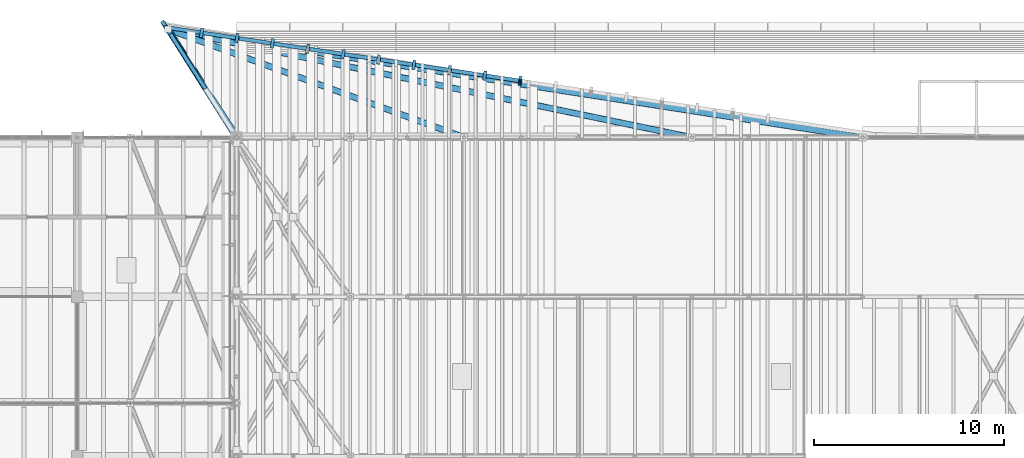
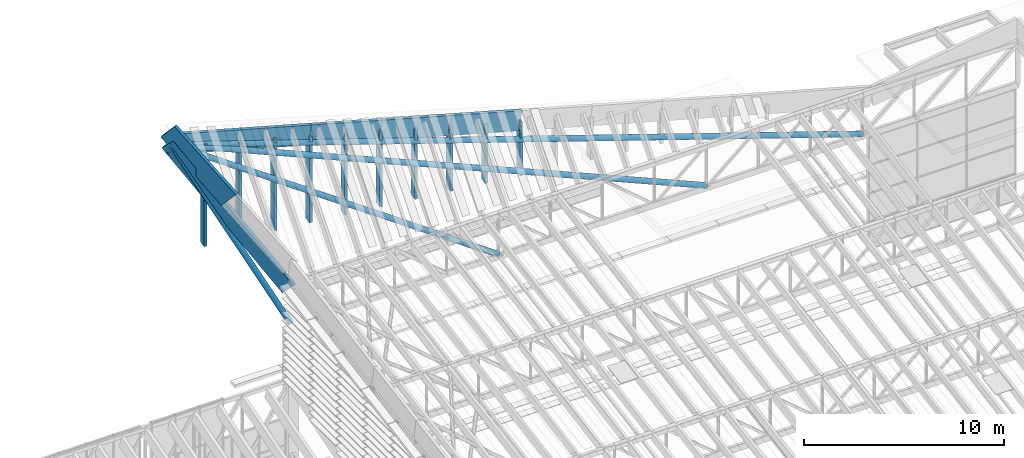
# One storey, part 45 of 91: 16 members, 6 beams.
"""IFC4 building model written with IfcOpenShell, lengths in metres."""

from ifc_helpers import new_model, si_unit, direction, frame, origin, origin_2d, place, context, subcontext, project, spatial, rectangle, hollow_circle, extrude, material, material_profile, profile_set, type_object, element, save


model = new_model("IFC4")

# Units and contexts
model_context = context("Model", 3, precision=1e-05, world=origin(), true_north=direction((0.0, 1.0)))
body_context = subcontext(model_context, "Body", "Model", "MODEL_VIEW")
ifc_project = project(units=[si_unit("LENGTHUNIT", "METRE"), si_unit("AREAUNIT", "SQUARE_METRE"), si_unit("VOLUMEUNIT", "CUBIC_METRE"), si_unit("PLANEANGLEUNIT", "RADIAN"), si_unit("MASSUNIT", "GRAM", prefix="KILO")], contexts=[model_context])

# Site, building, storey
site_placement = place(None, origin())
site = spatial("IfcSite", under=ifc_project, at=site_placement, CompositionType="ELEMENT")
building_placement = place(site_placement, origin())
building = spatial("IfcBuilding", under=site, at=building_placement, Name="Almond Square Museum", CompositionType="ELEMENT")
storey_placement = place(building_placement, frame((0.0, 0.0, 30.0)))
storey = spatial("IfcBuildingStorey", under=building, at=storey_placement, Name="L05", CompositionType="ELEMENT", Elevation=30.0)

# Members
ifc_material_1 = material(Name="Structural steel S355", Category="steel")
ifc_material_profile_1 = material_profile(ifc_material_1, hollow_circle(Radius=0.084228515625, WallThickness=0.008056640625, at=origin_2d()))
ifc_profile_set_1 = profile_set([ifc_material_profile_1], Name="Structural steel S355")
member_type_1 = type_object("IfcMemberType", Name="Fascia post CHS 168.3x8", PredefinedType="POST", material=ifc_profile_set_1)
member_1_placement = place(storey_placement, frame((121.724609375, 112.014892578125, 18.3955078125), z_axis=(0.023447527882, 0.151507103236, 0.988178026018), x_axis=(-0.988235294118, 0.152941176471, 0.0)))
element("IfcMember", 1, at=member_1_placement, inside=storey, type_object=member_type_1, Name="Prow edge post 5", PredefinedType="POST", context=body_context, shape_type="SweptSolid", body=[
    extrude(hollow_circle(Radius=0.084228515625, WallThickness=0.008056640625, at=origin_2d()), origin(), (0.0, 0.0, 1.0), 1.082763671875),
])
ifc_material_2 = material(Name="Glulam GL28h", Category="wood")
ifc_material_profile_2 = material_profile(ifc_material_2, rectangle(XDim=0.159912109375, YDim=0.5, at=origin_2d()))
ifc_profile_set_2 = profile_set([ifc_material_profile_2], Name="Glulam GL28h")
member_type_2 = type_object("IfcMemberType", Name="Gable stud GL28h 160x500", PredefinedType="POST", material=ifc_profile_set_2)
member_2_placement = place(storey_placement, frame((121.75, 112.178955078125, 16.227294921875), z_axis=(0.0, 0.0, 1.0), x_axis=(-0.988752832318, 0.149558806438, 0.0)))
element("IfcMember", 2, at=member_2_placement, inside=storey, type_object=member_type_2, Name="Prow gable stud 10", PredefinedType="POST", context=body_context, shape_type="SweptSolid", body=[
    extrude(rectangle(XDim=0.159912109375, YDim=0.5, at=origin_2d()), origin(), (0.0, 0.0, 1.0), 3.23828125),
])
member_3_placement = place(storey_placement, frame((119.885009765625, 112.461181640625, 16.227294921875), z_axis=(0.0, 0.0, 1.0), x_axis=(-0.988752832318, 0.149558806438, 0.0)))
element("IfcMember", 3, at=member_3_placement, inside=storey, type_object=member_type_2, Name="Prow gable stud 11", PredefinedType="POST", context=body_context, shape_type="SweptSolid", body=[
    extrude(rectangle(XDim=0.159912109375, YDim=0.5, at=origin_2d()), origin(), (0.0, 0.0, 1.0), 3.574462890625),
])
member_4_placement = place(storey_placement, frame((118.02001953125, 112.7431640625, 16.227294921875), z_axis=(0.0, 0.0, 1.0), x_axis=(-0.988752832318, 0.149558806438, 0.0)))
element("IfcMember", 4, at=member_4_placement, inside=storey, type_object=member_type_2, Name="Prow gable stud 12", PredefinedType="POST", context=body_context, shape_type="SweptSolid", body=[
    extrude(rectangle(XDim=0.159912109375, YDim=0.5, at=origin_2d()), origin(), (0.0, 0.0, 1.0), 3.91064453125),
])
member_5_placement = place(storey_placement, frame((116.155029296875, 113.025390625, 16.227294921875), z_axis=(0.0, 0.0, 1.0), x_axis=(-0.988752832318, 0.149558806438, 0.0)))
element("IfcMember", 5, at=member_5_placement, inside=storey, type_object=member_type_2, Name="Prow gable stud 13", PredefinedType="POST", context=body_context, shape_type="SweptSolid", body=[
    extrude(rectangle(XDim=0.159912109375, YDim=0.5, at=origin_2d()), origin(), (0.0, 0.0, 1.0), 4.246826171875),
])
member_6_placement = place(storey_placement, frame((114.2900390625, 113.307373046875, 16.227294921875), z_axis=(0.0, 0.0, 1.0), x_axis=(-0.988752832318, 0.149558806438, 0.0)))
element("IfcMember", 6, at=member_6_placement, inside=storey, type_object=member_type_2, Name="Prow gable stud 14", PredefinedType="POST", context=body_context, shape_type="SweptSolid", body=[
    extrude(rectangle(XDim=0.159912109375, YDim=0.5, at=origin_2d()), origin(), (0.0, 0.0, 1.0), 4.5830078125),
])
member_7_placement = place(storey_placement, frame((112.425048828125, 113.589599609375, 16.227294921875), z_axis=(0.0, 0.0, 1.0), x_axis=(-0.988752832318, 0.149558806438, 0.0)))
element("IfcMember", 7, at=member_7_placement, inside=storey, type_object=member_type_2, Name="Prow gable stud 15", PredefinedType="POST", context=body_context, shape_type="SweptSolid", body=[
    extrude(rectangle(XDim=0.159912109375, YDim=0.5, at=origin_2d()), origin(), (0.0, 0.0, 1.0), 4.919189453125),
])
member_8_placement = place(storey_placement, frame((110.56005859375, 113.87158203125, 16.227294921875), z_axis=(0.0, 0.0, 1.0), x_axis=(-0.988752832318, 0.149558806438, 0.0)))
element("IfcMember", 8, at=member_8_placement, inside=storey, type_object=member_type_2, Name="Prow gable stud 16", PredefinedType="POST", context=body_context, shape_type="SweptSolid", body=[
    extrude(rectangle(XDim=0.159912109375, YDim=0.5, at=origin_2d()), origin(), (0.0, 0.0, 1.0), 5.25537109375),
])
member_9_placement = place(storey_placement, frame((108.695068359375, 114.15380859375, 16.227294921875), z_axis=(0.0, 0.0, 1.0), x_axis=(-0.988752832318, 0.149558806438, 0.0)))
element("IfcMember", 9, at=member_9_placement, inside=storey, type_object=member_type_2, Name="Prow gable stud 17", PredefinedType="POST", context=body_context, shape_type="SweptSolid", body=[
    extrude(rectangle(XDim=0.159912109375, YDim=0.5, at=origin_2d()), origin(), (0.0, 0.0, 1.0), 5.591552734375),
])
member_10_placement = place(storey_placement, frame((106.830078125, 114.435791015625, 16.227294921875), z_axis=(0.0, 0.0, 1.0), x_axis=(-0.988752832318, 0.149558806438, 0.0)))
element("IfcMember", 10, at=member_10_placement, inside=storey, type_object=member_type_2, Name="Prow gable stud 18", PredefinedType="POST", context=body_context, shape_type="SweptSolid", body=[
    extrude(rectangle(XDim=0.159912109375, YDim=0.5, at=origin_2d()), origin(), (0.0, 0.0, 1.0), 5.927734375),
])
member_11_placement = place(storey_placement, frame((104.965087890625, 114.718017578125, 16.227294921875), z_axis=(0.0, 0.0, 1.0), x_axis=(-0.988752832318, 0.149558806438, 0.0)))
element("IfcMember", 11, at=member_11_placement, inside=storey, type_object=member_type_2, Name="Prow gable stud 19", PredefinedType="POST", context=body_context, shape_type="SweptSolid", body=[
    extrude(rectangle(XDim=0.159912109375, YDim=0.5, at=origin_2d()), origin(), (0.0, 0.0, 1.0), 6.263916015625),
])
ifc_material_3 = material(Name="Glulam GL28h", Category="wood")
ifc_material_profile_3 = material_profile(ifc_material_3, rectangle(XDim=0.239990234375, YDim=0.89990234375, at=origin_2d()))
ifc_profile_set_3 = profile_set([ifc_material_profile_3], Name="Glulam GL28h")
member_type_3 = type_object("IfcMemberType", Name="Glulam rafter GL28h 240x900", PredefinedType="RAFTER", material=ifc_profile_set_3)
member_12_placement = place(storey_placement, frame((106.800048828125, 109.35791015625, 16.12255859375), z_axis=(-0.388429807025, 0.592320213814, 0.705888836377), x_axis=(-0.836229406271, -0.548379777241, 0.0)))
element("IfcMember", 12, at=member_12_placement, inside=storey, type_object=member_type_3, Name="Prow edge rafter west", PredefinedType="RAFTER", context=body_context, shape_type="SweptSolid", body=[
    extrude(rectangle(XDim=0.239990234375, YDim=0.89990234375, at=origin_2d()), origin(), (0.0, 0.0, 1.0), 9.525390625),
])

# Beams
ifc_material_4 = material(Name="Glulam GL28h", Category="wood")
ifc_material_profile_4 = material_profile(ifc_material_4, rectangle(XDim=0.199951171875, YDim=1.199951171875, at=origin_2d()))
ifc_profile_set_4 = profile_set([ifc_material_profile_4], Name="Glulam GL28h")
beam_type = type_object("IfcBeamType", Name="Rake fascia beam GL28h 200x1200", PredefinedType="BEAM", material=ifc_profile_set_4)
for number, where, z_axis, x_axis, name in (
    (13, (121.75, 112.178955078125, 19.465576171875), (-0.973412266922, 0.147241507321, 0.175466512836), (-0.149561900376, -0.988752364324, 0.0), "Prow edge fascia 6"),
    (14, (118.02001953125, 112.7431640625, 20.137939453125), (-0.973412266922, 0.147241507321, 0.175466512836), (-0.149561900376, -0.988752364324, 0.0), "Prow edge fascia 7"),
    (15, (114.2900390625, 113.307373046875, 20.810302734375), (-0.973412266922, 0.147241507321, 0.175466512836), (-0.149561900376, -0.988752364324, 0.0), "Prow edge fascia 8"),
    (16, (110.56005859375, 113.87158203125, 21.482666015625), (-0.973412266922, 0.147241507321, 0.175466512836), (-0.149561900376, -0.988752364324, 0.0), "Prow edge fascia 9"),
    (17, (106.830078125, 114.435791015625, 22.155029296875), (-0.973412266922, 0.147241507321, 0.175466512836), (-0.149561900376, -0.988752364324, 0.0), "Prow edge fascia 10"),
):
    element("IfcBeam", number, at=place(storey_placement, frame(where, z_axis=z_axis, x_axis=x_axis)), inside=storey, type_object=beam_type, Name=name, PredefinedType="BEAM", context=body_context, shape_type="SweptSolid", body=[
        extrude(rectangle(XDim=0.199951171875, YDim=1.199951171875, at=origin_2d()), origin(), (0.0, 0.0, 1.0), 3.831787109375),
    ])
beam_placement = place(storey_placement, frame((104.949951171875, 112.10009765625, 20.548828125), z_axis=(-0.401877394597, 0.629998639702, 0.664527105306), x_axis=(-0.843073537555, -0.537798298876, 0.0)))
element("IfcBeam", 18, at=beam_placement, inside=storey, type_object=beam_type, Name="Gable rake fascia W prow 2", PredefinedType="BEAM", context=body_context, shape_type="SweptSolid", body=[
    extrude(rectangle(XDim=0.199951171875, YDim=1.199951171875, at=origin_2d()), origin(), (0.0, 0.0, 1.0), 4.60302734375),
])

# Members
ifc_material_5 = material(Name="Structural steel S355", Category="steel")
ifc_material_profile_5 = material_profile(ifc_material_5, hollow_circle(Radius=0.161865234375, WallThickness=0.01611328125, at=origin_2d()))
ifc_profile_set_5 = profile_set([ifc_material_profile_5], Name="Structural steel S355")
member_type_4 = type_object("IfcMemberType", Name="Raking strut CHS 323.9x16", PredefinedType="STRUT", material=ifc_profile_set_5)
member_13_placement = place(storey_placement, frame((106.800048828125, 109.199951171875, 14.090087890625), z_axis=(-0.326680817093, 0.517226165514, 0.791047873046), x_axis=(-0.845480297695, -0.53400661626, 0.0)))
element("IfcMember", 19, at=member_13_placement, inside=storey, type_object=member_type_4, Name="Prow strut PS1", PredefinedType="STRUT", context=body_context, shape_type="SweptSolid", body=[
    extrude(hollow_circle(Radius=0.161865234375, WallThickness=0.01611328125, at=origin_2d()), origin(), (0.0, 0.0, 1.0), 11.020263671875),
])
member_14_placement = place(storey_placement, frame((118.800048828125, 109.199951171875, 14.090087890625), z_axis=(-0.831667810621, 0.303874117728, 0.46474635378), x_axis=(-0.343188463947, -0.939266563982, 0.0)))
element("IfcMember", 20, at=member_14_placement, inside=storey, type_object=member_type_4, Name="Prow strut PS2", PredefinedType="STRUT", context=body_context, shape_type="SweptSolid", body=[
    extrude(hollow_circle(Radius=0.161865234375, WallThickness=0.01611328125, at=origin_2d()), origin(), (0.0, 0.0, 1.0), 18.757568359375),
])
member_15_placement = place(storey_placement, frame((130.800048828125, 109.199951171875, 14.090087890625), z_axis=(-0.935596449531, 0.193218667025, 0.295509442047), x_axis=(-0.20225124421, -0.979333668478, 0.0)))
element("IfcMember", 21, at=member_15_placement, inside=storey, type_object=member_type_4, Name="Prow strut PS3", PredefinedType="STRUT", context=body_context, shape_type="SweptSolid", body=[
    extrude(hollow_circle(Radius=0.161865234375, WallThickness=0.01611328125, at=origin_2d()), origin(), (0.0, 0.0, 1.0), 29.5),
])
member_16_placement = place(storey_placement, frame((139.800048828125, 109.199951171875, 14.090087890625), z_axis=(-0.961811972818, 0.149788706388, 0.229087477577), x_axis=(-0.153881043619, -0.988089380782, 0.0)))
element("IfcMember", 22, at=member_16_placement, inside=storey, type_object=member_type_4, Name="Prow strut PS4", PredefinedType="STRUT", context=body_context, shape_type="SweptSolid", body=[
    extrude(hollow_circle(Radius=0.161865234375, WallThickness=0.01611328125, at=origin_2d()), origin(), (0.0, 0.0, 1.0), 38.05322265625),
])

save(model, "model.ifc")
